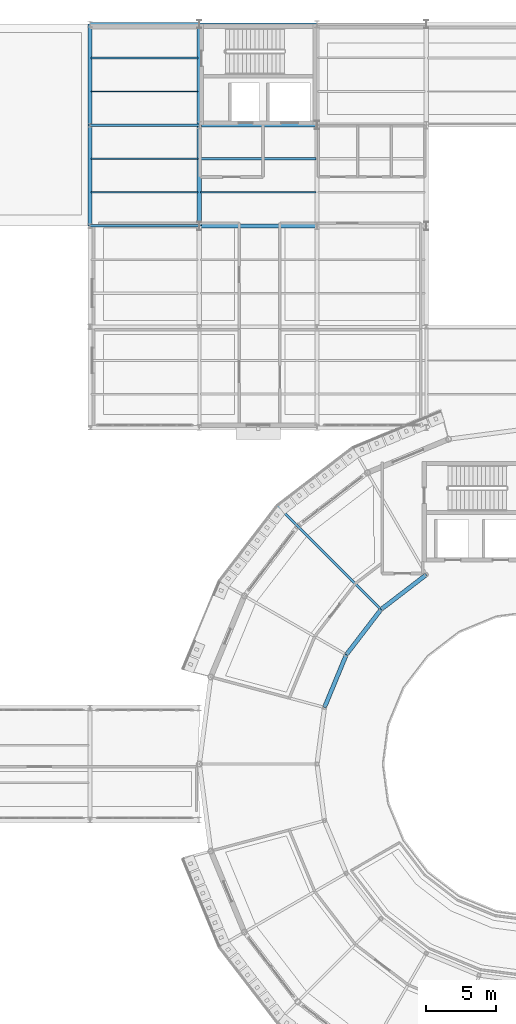
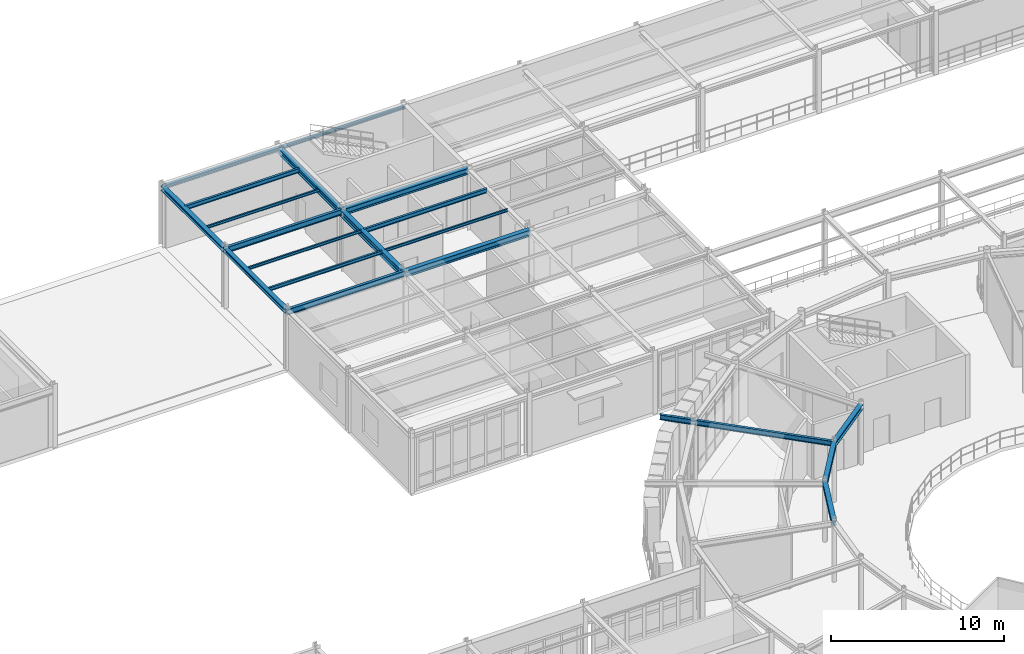
# One storey, part 52 of 106: 20 beams.
"""IFC4 building model written with IfcOpenShell, lengths in metres."""

import ifcopenshell
import ifcopenshell.guid

model = None  # the IFC model being written
_history = None  # IfcOwnerHistory: only IFC2X3 demands one
_inside = {}  # id of a spatial element -> (the spatial element, [elements in it])
_under = {}  # id of a project, library or spatial element -> (it, [spatial elements below it])
_declared = {}  # id of a project -> (the project, [libraries it declares])
_typed = {}  # id of a type object -> (the type object, [elements of that type])
_made_of = {}  # id of a material, layer set ... -> (it, [elements and type objects made of it])


def new_model(schema):
    """Start an empty IFC model of exactly this schema.

    Asked for "IFC4X3", IfcOpenShell would pick the latest addendum, in which some entities
    have other attributes; the version numbers below select the first issue.
    IFC2X3 requires an IfcOwnerHistory on every rooted entity: one is made here for all.
    """
    global model, _history
    if schema == "IFC4X3":
        model = ifcopenshell.file(schema_version=(4, 3, 0, 0))
    else:
        model = ifcopenshell.file(schema=schema)
    _inside.clear()
    _under.clear()
    _declared.clear()
    _typed.clear()
    _made_of.clear()
    _history = None
    if model.schema == "IFC2X3":
        org = make("IfcOrganization", Name="unknown")
        user = make(
            "IfcPersonAndOrganization",
            ThePerson=make("IfcPerson", FamilyName="unknown"),
            TheOrganization=org,
        )
        app = make(
            "IfcApplication",
            ApplicationDeveloper=org,
            Version="unknown",
            ApplicationFullName="unknown",
            ApplicationIdentifier="unknown",
        )
        _history = make(
            "IfcOwnerHistory",
            OwningUser=user,
            OwningApplication=app,
            ChangeAction="ADDED",
            CreationDate=0,
        )
    return model


def make(cls, **values):
    """One entity of the class cls with the attributes given. An attribute that is None is left unset."""
    return model.create_entity(
        cls, **{name: value for name, value in values.items() if value is not None}
    )


def rooted(cls, **values):
    """An entity with a GlobalId (a new one), such as an element, a storey or a relation."""
    return make(cls, GlobalId=ifcopenshell.guid.new(), OwnerHistory=_history, **values)


def si_unit(unit_type, name, prefix=None):
    """IfcSIUnit, for example si_unit("LENGTHUNIT", "METRE", prefix="MILLI")."""
    return make("IfcSIUnit", UnitType=unit_type, Prefix=prefix, Name=name)


def derived_unit(unit_type, elements):
    """IfcDerivedUnit: a product of units, each with its exponent."""
    return make(
        "IfcDerivedUnit",
        Elements=[
            make("IfcDerivedUnitElement", Unit=unit, Exponent=power)
            for unit, power in elements
        ],
        UnitType=unit_type,
    )


def assignment(units):
    """IfcUnitAssignment: the units of a project."""
    return None if units is None else make("IfcUnitAssignment", Units=units)


def point(xyz):
    """IfcCartesianPoint."""
    return None if xyz is None else make("IfcCartesianPoint", Coordinates=xyz)


def direction(xyz):
    """IfcDirection."""
    return None if xyz is None else make("IfcDirection", DirectionRatios=xyz)


def frame(location, z_axis=None, x_axis=None):
    """IfcAxis2Placement3D, a coordinate frame: its origin and axes. An axis left out is left unset."""
    return make(
        "IfcAxis2Placement3D",
        Location=point(location),
        Axis=direction(z_axis),
        RefDirection=direction(x_axis),
    )


def frame_2d(location, x_axis=None):
    """IfcAxis2Placement2D, a coordinate frame in the plane: its origin and x axis."""
    return make(
        "IfcAxis2Placement2D", Location=point(location), RefDirection=direction(x_axis)
    )


def origin():
    """The frame at (0, 0, 0) with its axes left unset."""
    return frame((0.0, 0.0, 0.0))


def origin_2d():
    """The frame at (0, 0) in the plane with its x axis left unset."""
    return frame_2d((0.0, 0.0))


def place(relative_to, where):
    """IfcLocalPlacement: puts the frame where relative to a parent placement (None: the world)."""
    return make(
        "IfcLocalPlacement", PlacementRelTo=relative_to, RelativePlacement=where
    )


def context(
    kind, dimensions, precision=None, world=None, true_north=None, identifier=None
):
    """IfcGeometricRepresentationContext, for example the 3D "Model" context."""
    return make(
        "IfcGeometricRepresentationContext",
        ContextIdentifier=identifier,
        ContextType=kind,
        CoordinateSpaceDimension=dimensions,
        Precision=precision,
        WorldCoordinateSystem=world,
        TrueNorth=true_north,
    )


def subcontext(parent, identifier, kind, view, scale=None):
    """IfcGeometricRepresentationSubContext, for example "Body" below "Model"."""
    return make(
        "IfcGeometricRepresentationSubContext",
        ContextIdentifier=identifier,
        ContextType=kind,
        ParentContext=parent,
        TargetScale=scale,
        TargetView=view,
    )


def project(units=None, contexts=None):
    """IfcProject with its units and contexts."""
    return rooted(
        "IfcProject",
        Name="project",
        RepresentationContexts=contexts,
        UnitsInContext=assignment(units),
    )


def spatial(cls, under=None, at=None, **own):
    """A site, building, storey or space (cls), placed at a placement, below another one or the project."""
    s = rooted(cls, ObjectPlacement=at, **own)
    if under is not None:
        _under.setdefault(under.id(), (under, []))[1].append(s)
    return s


def profile(cls, at=None, kind="AREA", **sizes):
    """A parametric profile (cls). Its sizes go by their IFC names, for example OverallWidth=200.0."""
    return make(cls, ProfileType=kind, Position=at, **sizes)


def i_section(**sizes):
    """IfcIShapeProfileDef."""
    return profile("IfcIShapeProfileDef", **sizes)


def extrude(swept, where, along, depth):
    """IfcExtrudedAreaSolid: the profile swept, set in the frame where, extruded along a direction by depth."""
    return make(
        "IfcExtrudedAreaSolid",
        SweptArea=swept,
        Position=where,
        ExtrudedDirection=direction(along),
        Depth=depth,
    )


def shape(context_of_items, identifier, shape_type, items):
    """IfcShapeRepresentation: the items that make up one representation, for example the "Body"."""
    return make(
        "IfcShapeRepresentation",
        ContextOfItems=context_of_items,
        RepresentationIdentifier=identifier,
        RepresentationType=shape_type,
        Items=items,
    )


def material(Name=None, Category=None):
    """IfcMaterial."""
    return make("IfcMaterial", Name=Name, Category=Category)


def material_profile(
    of_material, cross_section, Name=None, Category=None, Priority=None
):
    """IfcMaterialProfile: a cross section and its material."""
    return make(
        "IfcMaterialProfile",
        Name=Name,
        Material=of_material,
        Profile=cross_section,
        Priority=Priority,
        Category=Category,
    )


def profile_set(profiles, Name=None, composite=None):
    """IfcMaterialProfileSet."""
    return make(
        "IfcMaterialProfileSet",
        Name=Name,
        MaterialProfiles=profiles,
        CompositeProfile=composite,
    )


def made_of(thing, what):
    """Note that an element or type object is made of a material, layer set ...; save() writes the relation."""
    if what is not None:
        _made_of.setdefault(what.id(), (what, []))[1].append(thing)
    return thing


def type_object(cls, material=None, **own):
    """A type object (cls), such as IfcWallType, which elements share."""
    return made_of(rooted(cls, **own), material)


def element(
    cls,
    number,
    at=None,
    inside=None,
    cuts=None,
    type_object=None,
    material=None,
    context=None,
    identifier="Body",
    shape_type=None,
    held_by="IfcProductDefinitionShape",
    body=None,
    shapes=None,
    **own,
):
    """One element of the class cls, such as IfcWall. Its Tag is "e" and its number.

    at: its placement. inside: the storey or other place that contains it. cuts: it is an
    opening in that element (IfcRelVoidsElement). A single representation is given by context,
    identifier, shape_type and body (its items); several are given by shapes. held_by: the class
    of the entity that holds the representations. save() writes the other relations.
    """
    e = rooted(cls, Tag="e%d" % number, ObjectPlacement=at, **own)
    if body is not None:
        shapes = [shape(context, identifier, shape_type, body)]
    if shapes is not None:
        e.Representation = make(held_by, Representations=shapes)
    if inside is not None:
        _inside.setdefault(inside.id(), (inside, []))[1].append(e)
    if cuts is not None:
        rooted(
            "IfcRelVoidsElement", RelatingBuildingElement=cuts, RelatedOpeningElement=e
        )
    if type_object is not None:
        _typed.setdefault(type_object.id(), (type_object, []))[1].append(e)
    return made_of(e, material)


def aggregate(whole, parts):
    """IfcRelAggregates: a whole, such as a stair, and the parts it consists of."""
    return rooted("IfcRelAggregates", RelatingObject=whole, RelatedObjects=parts)


def save(model, path):
    """Write the relations noted so far, then the file.

    IfcRelAggregates (storeys below a building ...), IfcRelContainedInSpatialStructure (elements
    in a storey), IfcRelDefinesByType, IfcRelAssociatesMaterial and IfcRelDeclares: one each for
    every whole, place, type object, material and project.
    """
    for whole, parts in _under.values():
        aggregate(whole, parts)
    for where, things in _inside.values():
        rooted(
            "IfcRelContainedInSpatialStructure",
            RelatedElements=things,
            RelatingStructure=where,
        )
    for kind, things in _typed.values():
        rooted("IfcRelDefinesByType", RelatedObjects=things, RelatingType=kind)
    for what, things in _made_of.values():
        rooted("IfcRelAssociatesMaterial", RelatedObjects=things, RelatingMaterial=what)
    for by, libraries in _declared.values():
        rooted("IfcRelDeclares", RelatingContext=by, RelatedDefinitions=libraries)
    model.write(path)


model = new_model("IFC4")

# Units and contexts
model_context = context("Model", 3, precision=1e-05, world=origin(), true_north=direction((0.0, 1.0)))
body_context = subcontext(model_context, "Body", "Model", "MODEL_VIEW")
ifc_project = project(units=[si_unit("LENGTHUNIT", "METRE"), si_unit("AREAUNIT", "SQUARE_METRE"), si_unit("VOLUMEUNIT", "CUBIC_METRE"), si_unit("PLANEANGLEUNIT", "RADIAN"), si_unit("MASSUNIT", "GRAM", prefix="KILO"), derived_unit("THERMALTRANSMITTANCEUNIT", [(si_unit("POWERUNIT", "WATT"), 1), (si_unit("AREAUNIT", "SQUARE_METRE"), -1), (si_unit("THERMODYNAMICTEMPERATUREUNIT", "KELVIN"), -1)])], contexts=[model_context])

# Site, building, storey
site_placement = place(None, origin())
site = spatial("IfcSite", under=ifc_project, at=site_placement, CompositionType="ELEMENT")
building_placement = place(site_placement, origin())
building = spatial("IfcBuilding", under=site, at=building_placement, Name="Yasenodar Specialist Clinic", CompositionType="ELEMENT")
storey_placement = place(building_placement, frame((0.0, 0.0, 4.5)))
storey = spatial("IfcBuildingStorey", under=building, at=storey_placement, Name="L01", CompositionType="ELEMENT", Elevation=4.5)

# Beams
ifc_material = material(Name="Steel S355", Category="steel")
ifc_material_profile_1 = material_profile(ifc_material, i_section(OverallWidth=0.300048828125, OverallDepth=0.2900390625, WebThickness=0.008544921875, FlangeThickness=0.013916015625, FilletRadius=0.027099609375, at=origin_2d()), Name="HEA 300")
ifc_profile_set_1 = profile_set([ifc_material_profile_1], Name="Steel S355")
beam_type_1 = type_object("IfcBeamType", Name="BM-HEA300", PredefinedType="BEAM", material=ifc_profile_set_1)
beam_1_placement = place(storey_placement, frame((49.199951171875, 104.39990234375, 4.10498046875), z_axis=(0.0, 1.0, 0.0), x_axis=(-1.0, 0.0, 0.0)))
element("IfcBeam", 1, at=beam_1_placement, inside=storey, type_object=beam_type_1, Name="L01 Primary N-S Girder", PredefinedType="BEAM", context=body_context, shape_type="SweptSolid", body=[
    extrude(i_section(OverallWidth=0.300048828125, OverallDepth=0.2900390625, WebThickness=0.008544921875, FlangeThickness=0.013916015625, FilletRadius=0.027099609375, at=origin_2d()), origin(), (0.0, 0.0, 1.0), 7.2001953125),
])
ifc_material_profile_2 = material_profile(ifc_material, i_section(OverallWidth=0.300048828125, OverallDepth=0.330078125, WebThickness=0.009521484375, FlangeThickness=0.0166015625, FilletRadius=0.027099609375, at=origin_2d()), Name="HEA 340")
ifc_profile_set_2 = profile_set([ifc_material_profile_2], Name="Steel S355")
beam_type_2 = type_object("IfcBeamType", Name="BM-HEA340", PredefinedType="BEAM", material=ifc_profile_set_2)
beam_2_placement = place(storey_placement, frame((73.199951171875, 72.31005859375, 4.0849609375), z_axis=(-0.793347704909, -0.608768773111, 0.0), x_axis=(0.608768773111, -0.793347704909, 0.0)))
element("IfcBeam", 2, at=beam_2_placement, inside=storey, type_object=beam_type_2, Name="L01 Drum V1 Inner Ring Beam", PredefinedType="BEAM", context=body_context, shape_type="SweptSolid", body=[
    extrude(i_section(OverallWidth=0.300048828125, OverallDepth=0.330078125, WebThickness=0.009521484375, FlangeThickness=0.0166015625, FilletRadius=0.027099609375, at=origin_2d()), origin(), (0.0, 0.0, 1.0), 4.072509765625),
])
beam_3_placement = place(storey_placement, frame((69.968994140625, 69.830810546875, 4.0849609375), z_axis=(-0.60875999388, -0.793354441502, 0.0), x_axis=(0.793354441502, -0.60875999388, 0.0)))
element("IfcBeam", 3, at=beam_3_placement, inside=storey, type_object=beam_type_2, Name="L01 Drum V1 Inner Ring Beam", PredefinedType="BEAM", context=body_context, shape_type="SweptSolid", body=[
    extrude(i_section(OverallWidth=0.300048828125, OverallDepth=0.330078125, WebThickness=0.009521484375, FlangeThickness=0.0166015625, FilletRadius=0.027099609375, at=origin_2d()), origin(), (0.0, 0.0, 1.0), 4.072265625),
])
beam_4_placement = place(storey_placement, frame((67.489990234375, 66.60009765625, 4.0849609375), z_axis=(-0.382660650645, -0.92388896868, 0.0), x_axis=(0.92388896868, -0.382660650645, 0.0)))
element("IfcBeam", 4, at=beam_4_placement, inside=storey, type_object=beam_type_2, Name="L01 Drum V1 Inner Ring Beam", PredefinedType="BEAM", context=body_context, shape_type="SweptSolid", body=[
    extrude(i_section(OverallWidth=0.300048828125, OverallDepth=0.330078125, WebThickness=0.009521484375, FlangeThickness=0.0166015625, FilletRadius=0.027099609375, at=origin_2d()), origin(), (0.0, 0.0, 1.0), 4.072509765625),
])
ifc_material_profile_3 = material_profile(ifc_material, i_section(OverallWidth=0.300048828125, OverallDepth=0.43994140625, WebThickness=0.011474609375, FlangeThickness=0.02099609375, FilletRadius=0.027099609375, at=origin_2d()), Name="HEA 450")
ifc_profile_set_3 = profile_set([ifc_material_profile_3], Name="Steel S355")
beam_type_3 = type_object("IfcBeamType", Name="BM-HEA450", PredefinedType="BEAM", material=ifc_profile_set_3)
for number, where, z_axis, x_axis, name in (
    (5, (57.0, 97.199951171875, 4.030029296875), (1.0, 0.0, 0.0), (0.0, 1.0, 0.0), "L01 Primary E-W Girder"),
    (6, (57.0, 104.39990234375, 4.030029296875), (1.0, 0.0, 0.0), (0.0, 1.0, 0.0), "L01 Primary E-W Girder"),
):
    element("IfcBeam", number, at=place(storey_placement, frame(where, z_axis=z_axis, x_axis=x_axis)), inside=storey, type_object=beam_type_3, Name=name, PredefinedType="BEAM", context=body_context, shape_type="SweptSolid", body=[
        extrude(i_section(OverallWidth=0.300048828125, OverallDepth=0.43994140625, WebThickness=0.011474609375, FlangeThickness=0.02099609375, FilletRadius=0.027099609375, at=origin_2d()), origin(), (0.0, 0.0, 1.0), 8.39990234375),
    ])
ifc_material_profile_4 = material_profile(ifc_material, i_section(OverallWidth=0.280029296875, OverallDepth=0.280029296875, WebThickness=0.010498046875, FlangeThickness=0.01806640625, FilletRadius=0.02392578125, at=origin_2d()), Name="HEB 280")
ifc_profile_set_4 = profile_set([ifc_material_profile_4], Name="Steel S355")
beam_type_4 = type_object("IfcBeamType", Name="BM-HEB280", PredefinedType="BEAM", material=ifc_profile_set_4)
beam_5_placement = place(storey_placement, frame((49.199951171875, 97.199951171875, 4.110107421875), z_axis=(0.0, 1.0, 0.0), x_axis=(-1.0, 0.0, 0.0)))
element("IfcBeam", 7, at=beam_5_placement, inside=storey, type_object=beam_type_4, Name="L01 Primary N-S Girder", PredefinedType="BEAM", context=body_context, shape_type="SweptSolid", body=[
    extrude(i_section(OverallWidth=0.280029296875, OverallDepth=0.280029296875, WebThickness=0.010498046875, FlangeThickness=0.01806640625, FilletRadius=0.02392578125, at=origin_2d()), origin(), (0.0, 0.0, 1.0), 7.199951171875),
])
ifc_material_profile_5 = material_profile(ifc_material, i_section(OverallWidth=0.300048828125, OverallDepth=0.39990234375, WebThickness=0.013427734375, FlangeThickness=0.02392578125, FilletRadius=0.027099609375, at=origin_2d()), Name="HEB 400")
ifc_profile_set_5 = profile_set([ifc_material_profile_5], Name="Steel S355")
beam_type_5 = type_object("IfcBeamType", Name="BM-HEB400", PredefinedType="BEAM", material=ifc_profile_set_5)
beam_6_placement = place(storey_placement, frame((57.0, 104.39990234375, 4.050048828125), z_axis=(0.0, 1.0, 0.0), x_axis=(-1.0, 0.0, 0.0)))
element("IfcBeam", 8, at=beam_6_placement, inside=storey, type_object=beam_type_5, Name="L01 Primary N-S Girder", PredefinedType="BEAM", context=body_context, shape_type="SweptSolid", body=[
    extrude(i_section(OverallWidth=0.300048828125, OverallDepth=0.39990234375, WebThickness=0.013427734375, FlangeThickness=0.02392578125, FilletRadius=0.027099609375, at=origin_2d()), origin(), (0.0, 0.0, 1.0), 7.2001953125),
])
ifc_material_profile_6 = material_profile(ifc_material, i_section(OverallWidth=0.300048828125, OverallDepth=0.449951171875, WebThickness=0.013916015625, FlangeThickness=0.02587890625, FilletRadius=0.027099609375, at=origin_2d()), Name="HEB 450")
ifc_profile_set_6 = profile_set([ifc_material_profile_6], Name="Steel S355")
beam_type_6 = type_object("IfcBeamType", Name="BM-HEB450", PredefinedType="BEAM", material=ifc_profile_set_6)
beam_7_placement = place(storey_placement, frame((57.0, 97.199951171875, 4.02490234375), z_axis=(0.0, 1.0, 0.0), x_axis=(-1.0, 0.0, 0.0)))
element("IfcBeam", 9, at=beam_7_placement, inside=storey, type_object=beam_type_6, Name="L01 Primary N-S Girder", PredefinedType="BEAM", context=body_context, shape_type="SweptSolid", body=[
    extrude(i_section(OverallWidth=0.300048828125, OverallDepth=0.449951171875, WebThickness=0.013916015625, FlangeThickness=0.02587890625, FilletRadius=0.027099609375, at=origin_2d()), origin(), (0.0, 0.0, 1.0), 7.199951171875),
])
ifc_material_profile_7 = material_profile(ifc_material, i_section(OverallWidth=0.169921875, OverallDepth=0.360107421875, WebThickness=0.008056640625, FlangeThickness=0.0126953125, FilletRadius=0.01806640625, at=origin_2d()), Name="IPE 360")
ifc_profile_set_7 = profile_set([ifc_material_profile_7], Name="Steel S355")
beam_type_7 = type_object("IfcBeamType", Name="BM-IPE360", PredefinedType="BEAM", material=ifc_profile_set_7)
beam_8_placement = place(storey_placement, frame((69.968994140625, 69.830810546875, 4.070068359375), z_axis=(-0.707095099746, 0.707118462434, 0.0), x_axis=(-0.707118462434, -0.707095099746, 0.0)))
element("IfcBeam", 10, at=beam_8_placement, inside=storey, type_object=beam_type_7, Name="L01 Drum V1 Radial Back-Spanned Cantilever Beam", PredefinedType="BEAM", context=body_context, shape_type="SweptSolid", body=[
    extrude(i_section(OverallWidth=0.169921875, OverallDepth=0.360107421875, WebThickness=0.008056640625, FlangeThickness=0.0126953125, FilletRadius=0.01806640625, at=origin_2d()), origin(), (0.0, 0.0, 1.0), 10.449951171875),
])
ifc_material_profile_8 = material_profile(ifc_material, i_section(OverallWidth=0.179931640625, OverallDepth=0.39990234375, WebThickness=0.008544921875, FlangeThickness=0.013427734375, FilletRadius=0.02099609375, at=origin_2d()), Name="IPE 400")
ifc_profile_set_8 = profile_set([ifc_material_profile_8], Name="Steel S355")
beam_type_8 = type_object("IfcBeamType", Name="BM-IPE400", PredefinedType="BEAM", material=ifc_profile_set_8)
for number, where, z_axis, x_axis, name in (
    (11, (49.199951171875, 97.199951171875, 4.050048828125), (1.0, 0.0, 0.0), (0.0, 1.0, 0.0), "L01 Primary E-W Girder"),
    (12, (49.199951171875, 104.39990234375, 4.050048828125), (1.0, 0.0, 0.0), (0.0, 1.0, 0.0), "L01 Primary E-W Girder"),
):
    element("IfcBeam", number, at=place(storey_placement, frame(where, z_axis=z_axis, x_axis=x_axis)), inside=storey, type_object=beam_type_8, Name=name, PredefinedType="BEAM", context=body_context, shape_type="SweptSolid", body=[
        extrude(i_section(OverallWidth=0.179931640625, OverallDepth=0.39990234375, WebThickness=0.008544921875, FlangeThickness=0.013427734375, FilletRadius=0.02099609375, at=origin_2d()), origin(), (0.0, 0.0, 1.0), 7.800048828125),
    ])
ifc_material_profile_9 = material_profile(ifc_material, i_section(OverallWidth=0.10009765625, OverallDepth=0.199951171875, WebThickness=0.005615234375, FlangeThickness=0.008544921875, FilletRadius=0.011962890625, at=origin_2d()), Name="IPE 200")
ifc_profile_set_9 = profile_set([ifc_material_profile_9], Name="Steel S355")
beam_type_9 = type_object("IfcBeamType", Name="JS-IPE200", PredefinedType="JOIST", material=ifc_profile_set_9)
for number, where, z_axis, x_axis, name in (
    (13, (49.280029296875, 102.0, 4.14990234375), (1.0, 0.0, 0.0), (0.0, 1.0, 0.0), "L01 Composite Floor Joist"),
    (14, (49.280029296875, 106.800048828125, 4.14990234375), (1.0, 0.0, 0.0), (0.0, 1.0, 0.0), "L01 Composite Floor Joist"),
):
    element("IfcBeam", number, at=place(storey_placement, frame(where, z_axis=z_axis, x_axis=x_axis)), inside=storey, type_object=beam_type_9, Name=name, PredefinedType="JOIST", context=body_context, shape_type="SweptSolid", body=[
        extrude(i_section(OverallWidth=0.10009765625, OverallDepth=0.199951171875, WebThickness=0.005615234375, FlangeThickness=0.008544921875, FilletRadius=0.011962890625, at=origin_2d()), origin(), (0.0, 0.0, 1.0), 7.639892578125),
    ])
beam_9_placement = place(storey_placement, frame((57.080078125, 99.60009765625, 4.14990234375), z_axis=(1.0, 0.0, 0.0), x_axis=(0.0, 1.0, 0.0)))
element("IfcBeam", 15, at=beam_9_placement, inside=storey, type_object=beam_type_9, Name="L01 Composite Floor Joist", PredefinedType="JOIST", context=body_context, shape_type="SweptSolid", body=[
    extrude(i_section(OverallWidth=0.10009765625, OverallDepth=0.199951171875, WebThickness=0.005615234375, FlangeThickness=0.008544921875, FilletRadius=0.011962890625, at=origin_2d()), origin(), (0.0, 0.0, 1.0), 8.239990234375),
])
ifc_material_profile_10 = material_profile(ifc_material, i_section(OverallWidth=0.1201171875, OverallDepth=0.239990234375, WebThickness=0.006103515625, FlangeThickness=0.009765625, FilletRadius=0.014892578125, at=origin_2d()), Name="IPE 240")
ifc_profile_set_10 = profile_set([ifc_material_profile_10], Name="Steel S355")
beam_type_10 = type_object("IfcBeamType", Name="JS-IPE240", PredefinedType="JOIST", material=ifc_profile_set_10)
beam_10_placement = place(storey_placement, frame((49.280029296875, 99.60009765625, 4.1298828125), z_axis=(1.0, 0.0, 0.0), x_axis=(0.0, 1.0, 0.0)))
element("IfcBeam", 16, at=beam_10_placement, inside=storey, type_object=beam_type_10, Name="L01 Composite Floor Joist", PredefinedType="JOIST", context=body_context, shape_type="SweptSolid", body=[
    extrude(i_section(OverallWidth=0.1201171875, OverallDepth=0.239990234375, WebThickness=0.006103515625, FlangeThickness=0.009765625, FilletRadius=0.014892578125, at=origin_2d()), origin(), (0.0, 0.0, 1.0), 7.639892578125),
])
ifc_material_profile_11 = material_profile(ifc_material, i_section(OverallWidth=0.14990234375, OverallDepth=0.300048828125, WebThickness=0.007080078125, FlangeThickness=0.0107421875, FilletRadius=0.014892578125, at=origin_2d()), Name="IPE 300")
ifc_profile_set_11 = profile_set([ifc_material_profile_11], Name="Steel S355")
beam_type_11 = type_object("IfcBeamType", Name="JS-IPE300", PredefinedType="JOIST", material=ifc_profile_set_11)
beam_11_placement = place(storey_placement, frame((49.280029296875, 109.199951171875, 4.10009765625), z_axis=(1.0, 0.0, 0.0), x_axis=(0.0, 1.0, 0.0)))
element("IfcBeam", 17, at=beam_11_placement, inside=storey, type_object=beam_type_11, Name="L01 Composite Floor Joist", PredefinedType="JOIST", context=body_context, shape_type="SweptSolid", body=[
    extrude(i_section(OverallWidth=0.14990234375, OverallDepth=0.300048828125, WebThickness=0.007080078125, FlangeThickness=0.0107421875, FilletRadius=0.014892578125, at=origin_2d()), origin(), (0.0, 0.0, 1.0), 7.639892578125),
])
beam_12_placement = place(storey_placement, frame((57.080078125, 102.0, 4.10009765625), z_axis=(1.0, 0.0, 0.0), x_axis=(0.0, 1.0, 0.0)))
element("IfcBeam", 18, at=beam_12_placement, inside=storey, type_object=beam_type_11, Name="L01 Composite Floor Joist", PredefinedType="JOIST", context=body_context, shape_type="SweptSolid", body=[
    extrude(i_section(OverallWidth=0.14990234375, OverallDepth=0.300048828125, WebThickness=0.007080078125, FlangeThickness=0.0107421875, FilletRadius=0.014892578125, at=origin_2d()), origin(), (0.0, 0.0, 1.0), 8.239990234375),
])
ifc_material_profile_12 = material_profile(ifc_material, i_section(OverallWidth=0.199951171875, OverallDepth=0.18994140625, WebThickness=0.006591796875, FlangeThickness=0.010009765625, FilletRadius=0.01806640625, at=origin_2d()), Name="HEA 200")
ifc_profile_set_12 = profile_set([ifc_material_profile_12], Name="Steel S355")
beam_type_12 = type_object("IfcBeamType", Name="SP-HEA200", PredefinedType="SPANDREL", material=ifc_profile_set_12)
beam_13_placement = place(storey_placement, frame((57.0, 111.60009765625, 4.155029296875), z_axis=(1.0, 0.0, 0.0), x_axis=(0.0, 1.0, 0.0)))
element("IfcBeam", 19, at=beam_13_placement, inside=storey, type_object=beam_type_12, Name="L01 Perimeter Spandrel Beam", PredefinedType="SPANDREL", context=body_context, shape_type="SweptSolid", body=[
    extrude(i_section(OverallWidth=0.199951171875, OverallDepth=0.18994140625, WebThickness=0.006591796875, FlangeThickness=0.010009765625, FilletRadius=0.01806640625, at=origin_2d()), origin(), (0.0, 0.0, 1.0), 8.39990234375),
])
ifc_material_profile_13 = material_profile(ifc_material, i_section(OverallWidth=0.239990234375, OverallDepth=0.22998046875, WebThickness=0.007568359375, FlangeThickness=0.011962890625, FilletRadius=0.02099609375, at=origin_2d()), Name="HEA 240")
ifc_profile_set_13 = profile_set([ifc_material_profile_13], Name="Steel S355")
beam_type_13 = type_object("IfcBeamType", Name="SP-HEA240", PredefinedType="SPANDREL", material=ifc_profile_set_13)
beam_14_placement = place(storey_placement, frame((49.199951171875, 111.60009765625, 4.135009765625), z_axis=(1.0, 0.0, 0.0), x_axis=(0.0, 1.0, 0.0)))
element("IfcBeam", 20, at=beam_14_placement, inside=storey, type_object=beam_type_13, Name="L01 Perimeter Spandrel Beam", PredefinedType="SPANDREL", context=body_context, shape_type="SweptSolid", body=[
    extrude(i_section(OverallWidth=0.239990234375, OverallDepth=0.22998046875, WebThickness=0.007568359375, FlangeThickness=0.011962890625, FilletRadius=0.02099609375, at=origin_2d()), origin(), (0.0, 0.0, 1.0), 7.800048828125),
])

save(model, "model.ifc")
